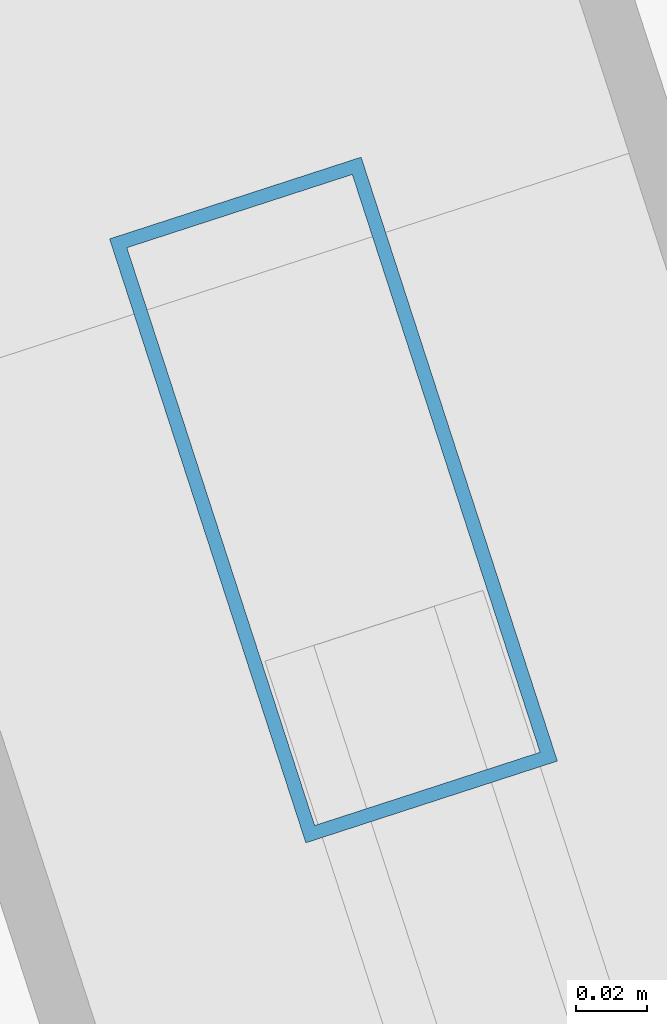
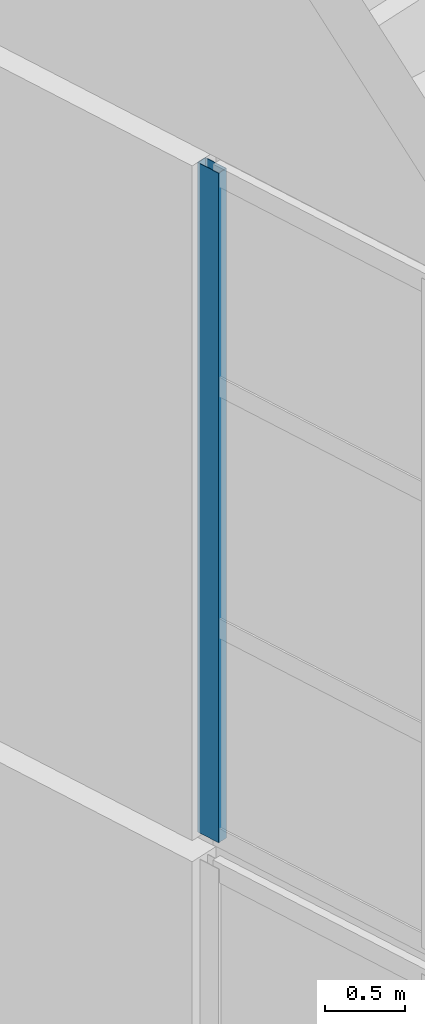
# One storey, part 12 of 56: 1 member, 1 element without a shape of its own.
"""IFC4 building model written with IfcOpenShell, lengths in metres."""

from ifc_helpers import new_model, si_unit, direction, frame, origin, origin_2d, place, context, subcontext, project, spatial, hollow_rectangle, extrude, material, layer, layer_set, material_profile, profile_set, type_object, element, aggregate, save


model = new_model("IFC4")

# Units and contexts
model_context = context("Model", 3, precision=1e-05, world=origin(), true_north=direction((0.0, 1.0)))
body_context = subcontext(model_context, "Body", "Model", "MODEL_VIEW")
ifc_project = project(units=[si_unit("LENGTHUNIT", "METRE"), si_unit("AREAUNIT", "SQUARE_METRE"), si_unit("VOLUMEUNIT", "CUBIC_METRE"), si_unit("PLANEANGLEUNIT", "RADIAN"), si_unit("MASSUNIT", "GRAM", prefix="KILO")], contexts=[model_context])

# Site, building, storey
site_placement = place(None, origin())
site = spatial("IfcSite", under=ifc_project, at=site_placement, CompositionType="ELEMENT")
building_placement = place(site_placement, origin())
building = spatial("IfcBuilding", under=site, at=building_placement, Name="Qiaolan Cultural Towers", CompositionType="ELEMENT")
storey_placement = place(building_placement, frame((0.0, 0.0, 250.39990234375)))
storey = spatial("IfcBuildingStorey", under=building, at=storey_placement, Name="L68", CompositionType="ELEMENT", Elevation=250.39990234375)

# Curtain wall, member
ifc_material_1 = material(Name="Unitized Anodized Aluminium Curtain Wall System", Category="aluminium")
ifc_layer = layer(ifc_material_1, 0.199951171875)
ifc_layer_set = layer_set([ifc_layer], Name="Unitized Anodized Aluminium Curtain Wall System")
curtain_wall_type = type_object("IfcCurtainWallType", Name="CWS-06", PredefinedType="NOTDEFINED", material=ifc_layer_set)
curtain_wall_placement = place(storey_placement, origin())
curtain_wall = element("IfcCurtainWall", 1, at=curtain_wall_placement, inside=storey, type_object=curtain_wall_type, Name="T2 Crown Tier 5 Fritted Screen Curtain Wall 7", PredefinedType="NOTDEFINED")
ifc_material_2 = material(Name="Extruded Aluminium 6063-T6", Category="aluminium")
ifc_material_profile = material_profile(ifc_material_2, hollow_rectangle(XDim=0.074951171875, YDim=0.179931640625, WallThickness=0.00390625, at=origin_2d()), Name="CWM-180x75x4")
ifc_profile_set = profile_set([ifc_material_profile], Name="Extruded Aluminium 6063-T6")
member_type = type_object("IfcMemberType", Name="CWS-06-MUL", PredefinedType="MULLION", material=ifc_profile_set)
member_placement = place(storey_placement, frame((75.0595703125, 35.16259765625, 21.300048828125), z_axis=(0.0, 0.0, 1.0), x_axis=(0.951056535512, 0.309016935232, 0.0)))
member = element("IfcMember", 2, at=member_placement, type_object=member_type, Name="CW-6 mullion 1", PredefinedType="MULLION", context=body_context, shape_type="SweptSolid", body=[
    extrude(hollow_rectangle(XDim=0.074951171875, YDim=0.179931640625, WallThickness=0.00390625, at=origin_2d()), origin(), (0.0, 0.0, 1.0), 5.10009765625),
])
aggregate(curtain_wall, [member])

save(model, "model.ifc")
